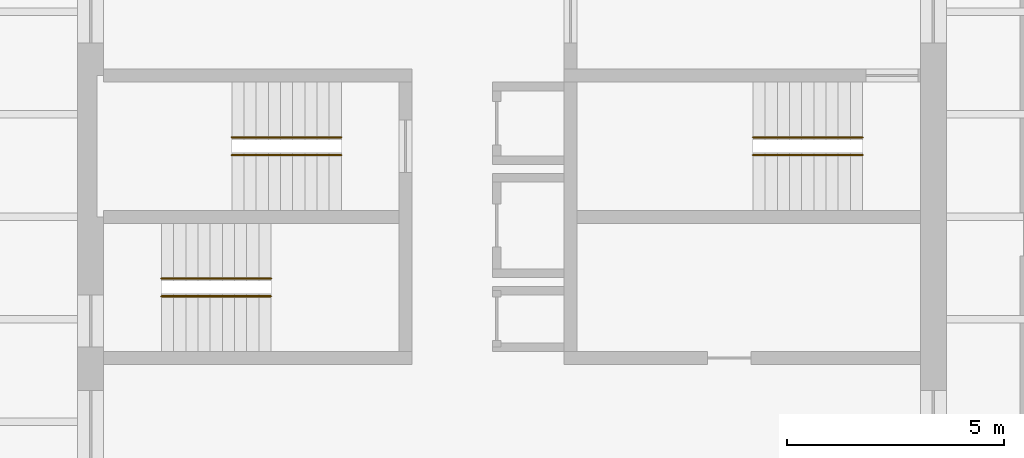
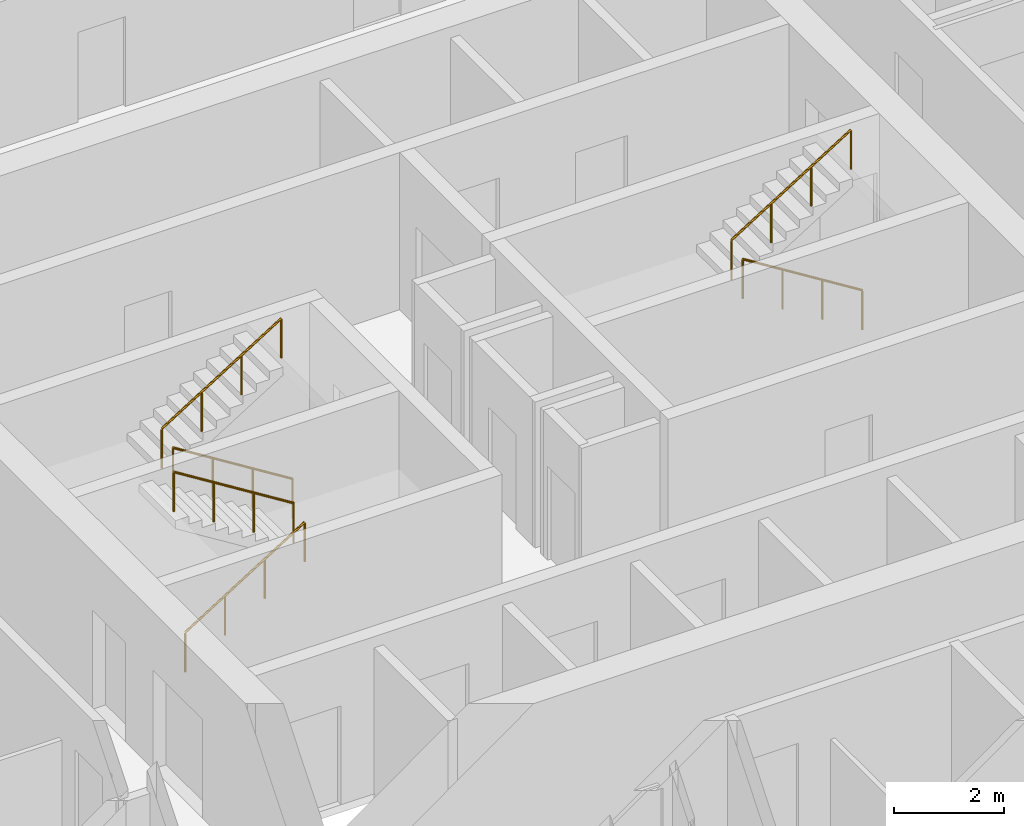
# One storey, part 9 of 9: 6 railings.
"""IFC4 building model written with IfcOpenShell, lengths in metres."""

from ifc_helpers import new_model, si_unit, direction, frame, origin, origin_2d, place, context, subcontext, project, spatial, circle, extrude, material, type_object, element, save


model = new_model("IFC4")

# Units and contexts
model_context = context("Model", 3, precision=1e-05, world=origin(), true_north=direction((0.0, 1.0)))
body_context = subcontext(model_context, "Body", "Model", "MODEL_VIEW")
ifc_project = project(units=[si_unit("LENGTHUNIT", "METRE"), si_unit("AREAUNIT", "SQUARE_METRE"), si_unit("VOLUMEUNIT", "CUBIC_METRE"), si_unit("PLANEANGLEUNIT", "RADIAN"), si_unit("MASSUNIT", "GRAM", prefix="KILO")], contexts=[model_context])

# Site, building, storey
site_placement = place(None, origin())
site = spatial("IfcSite", under=ifc_project, at=site_placement, CompositionType="ELEMENT")
building_placement = place(site_placement, origin())
building = spatial("IfcBuilding", under=site, at=building_placement, Name="Turquesa Mirador Hotel Tower", CompositionType="ELEMENT")
storey_placement = place(building_placement, frame((0.0, 0.0, 217.800048828125)))
storey = spatial("IfcBuildingStorey", under=building, at=storey_placement, Name="L59", CompositionType="ELEMENT", Elevation=217.800048828125)

# Railings
ifc_material = material(Name="Painted steel handrail", Category="steel")
railing_type = type_object("IfcRailingType", Name="HANDRAIL 900 STEEL", PredefinedType="HANDRAIL", material=ifc_material)
railing_1_placement = place(storey_placement, frame((51.070068359375, 46.419921875, 0.175048828125)))
element("IfcRailing", 1, at=railing_1_placement, inside=storey, type_object=railing_type, Name="Handrail ST1", PredefinedType="HANDRAIL", context=body_context, shape_type="SweptSolid", body=[
    extrude(circle(Radius=0.02392578125, at=origin_2d()), frame((0.0, 0.0, 0.8759765625), z_axis=(-0.848007534815, 0.0, 0.529984170421), x_axis=(0.0, -1.0, 0.0)), (0.0, 0.0, 1.0), 2.9716796875),
    extrude(circle(Radius=0.02099609375, at=origin_2d()), origin(), (0.0, 0.0, 1.0), 0.851806640625),
    extrude(circle(Radius=0.02099609375, at=origin_2d()), frame((-0.840087890625, 0.0, 0.52490234375)), (0.0, 0.0, 1.0), 0.851806640625),
    extrude(circle(Radius=0.02099609375, at=origin_2d()), frame((-1.679931640625, 0.0, 1.050048828125)), (0.0, 0.0, 1.0), 0.851806640625),
    extrude(circle(Radius=0.02099609375, at=origin_2d()), frame((-2.52001953125, 0.0, 1.574951171875)), (0.0, 0.0, 1.0), 0.851806640625),
])
for number, where, name in (
    (2, (48.550048828125, 46.830078125, 1.925048828125), "Handrail ST1"),
    (3, (46.929931640625, 43.169921875, 0.175048828125), "Handrail ST2"),
):
    element("IfcRailing", number, at=place(storey_placement, frame(where)), inside=storey, type_object=railing_type, Name=name, PredefinedType="HANDRAIL", context=body_context, shape_type="SweptSolid", body=[
        extrude(circle(Radius=0.02392578125, at=origin_2d()), frame((0.0, 0.0, 0.8759765625), z_axis=(0.848007534815, 0.0, 0.529984170421), x_axis=(0.0, 1.0, 0.0)), (0.0, 0.0, 1.0), 2.9716796875),
        extrude(circle(Radius=0.02099609375, at=origin_2d()), origin(), (0.0, 0.0, 1.0), 0.851806640625),
        extrude(circle(Radius=0.02099609375, at=origin_2d()), frame((0.840087890625, 0.0, 0.52490234375)), (0.0, 0.0, 1.0), 0.851806640625),
        extrude(circle(Radius=0.02099609375, at=origin_2d()), frame((1.679931640625, 0.0, 1.050048828125)), (0.0, 0.0, 1.0), 0.851806640625),
        extrude(circle(Radius=0.02099609375, at=origin_2d()), frame((2.52001953125, 0.0, 1.574951171875)), (0.0, 0.0, 1.0), 0.851806640625),
    ])
for number, where, name in (
    (4, (49.449951171875, 43.580078125, 1.925048828125), "Handrail ST2"),
    (5, (63.070068359375, 46.419921875, 0.175048828125), "Handrail ST3"),
):
    element("IfcRailing", number, at=place(storey_placement, frame(where)), inside=storey, type_object=railing_type, Name=name, PredefinedType="HANDRAIL", context=body_context, shape_type="SweptSolid", body=[
        extrude(circle(Radius=0.02392578125, at=origin_2d()), frame((0.0, 0.0, 0.8759765625), z_axis=(-0.848007534815, 0.0, 0.529984170421), x_axis=(0.0, -1.0, 0.0)), (0.0, 0.0, 1.0), 2.9716796875),
        extrude(circle(Radius=0.02099609375, at=origin_2d()), origin(), (0.0, 0.0, 1.0), 0.851806640625),
        extrude(circle(Radius=0.02099609375, at=origin_2d()), frame((-0.840087890625, 0.0, 0.52490234375)), (0.0, 0.0, 1.0), 0.851806640625),
        extrude(circle(Radius=0.02099609375, at=origin_2d()), frame((-1.679931640625, 0.0, 1.050048828125)), (0.0, 0.0, 1.0), 0.851806640625),
        extrude(circle(Radius=0.02099609375, at=origin_2d()), frame((-2.52001953125, 0.0, 1.574951171875)), (0.0, 0.0, 1.0), 0.851806640625),
    ])
railing_2_placement = place(storey_placement, frame((60.550048828125, 46.830078125, 1.925048828125)))
element("IfcRailing", 6, at=railing_2_placement, inside=storey, type_object=railing_type, Name="Handrail ST3", PredefinedType="HANDRAIL", context=body_context, shape_type="SweptSolid", body=[
    extrude(circle(Radius=0.02392578125, at=origin_2d()), frame((0.0, 0.0, 0.8759765625), z_axis=(0.848007534815, 0.0, 0.529984170421), x_axis=(0.0, 1.0, 0.0)), (0.0, 0.0, 1.0), 2.9716796875),
    extrude(circle(Radius=0.02099609375, at=origin_2d()), origin(), (0.0, 0.0, 1.0), 0.851806640625),
    extrude(circle(Radius=0.02099609375, at=origin_2d()), frame((0.840087890625, 0.0, 0.52490234375)), (0.0, 0.0, 1.0), 0.851806640625),
    extrude(circle(Radius=0.02099609375, at=origin_2d()), frame((1.679931640625, 0.0, 1.050048828125)), (0.0, 0.0, 1.0), 0.851806640625),
    extrude(circle(Radius=0.02099609375, at=origin_2d()), frame((2.52001953125, 0.0, 1.574951171875)), (0.0, 0.0, 1.0), 0.851806640625),
])

save(model, "model.ifc")
